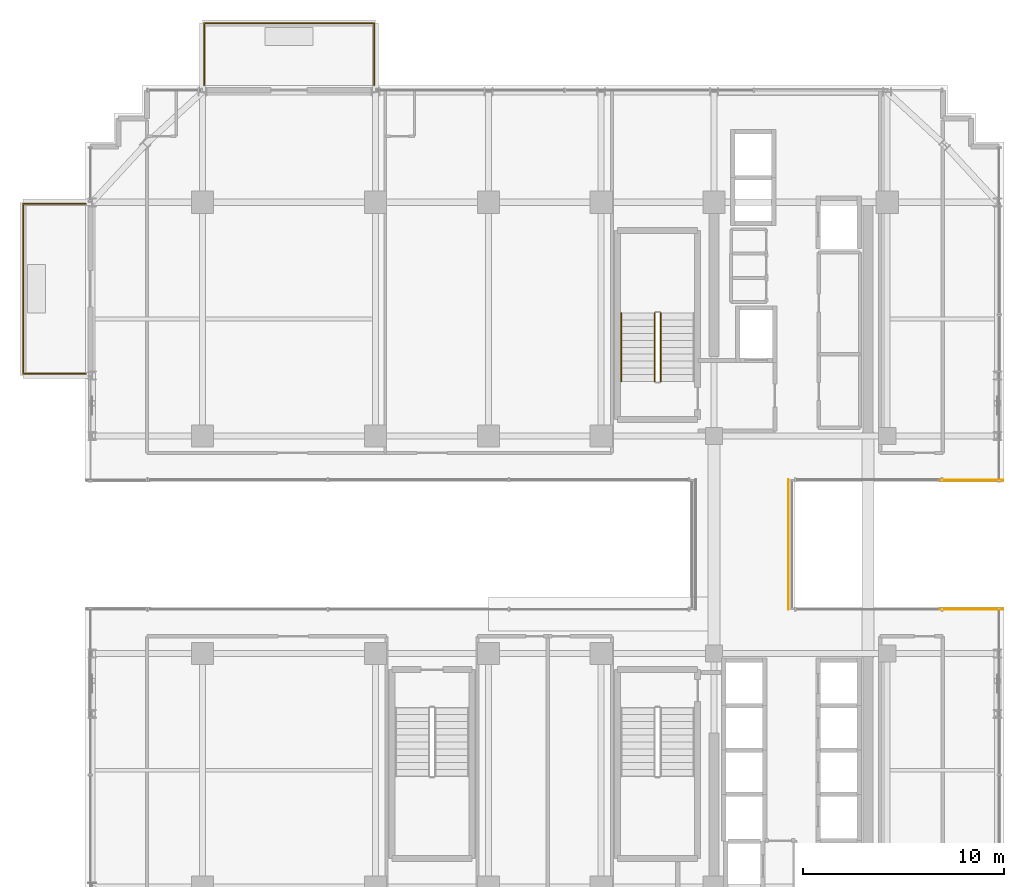
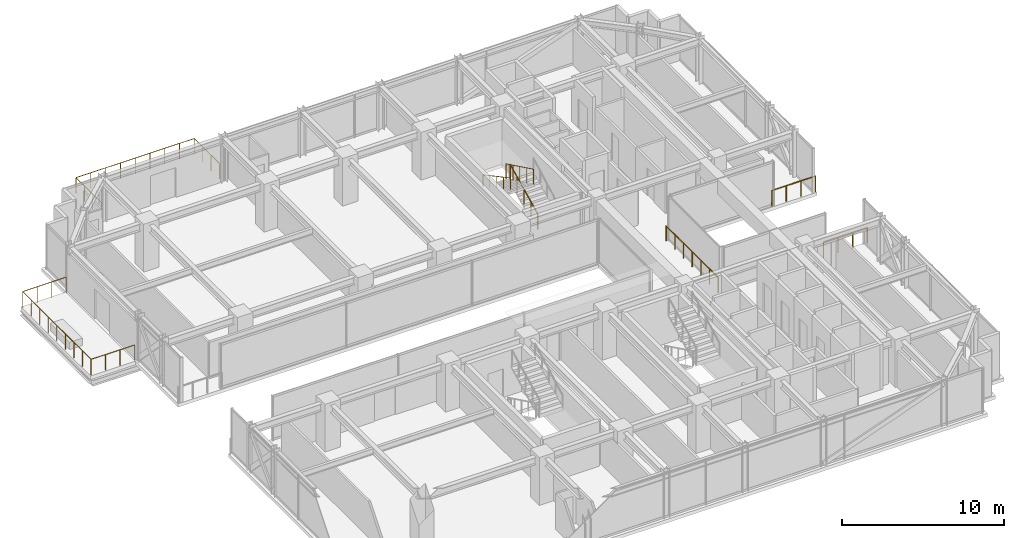
# One storey, part 35 of 37: 8 railings.
"""IFC4 building model written with IfcOpenShell, lengths in metres."""

import ifcopenshell
import ifcopenshell.guid

model = None  # the IFC model being written
_history = None  # IfcOwnerHistory: only IFC2X3 demands one
_inside = {}  # id of a spatial element -> (the spatial element, [elements in it])
_under = {}  # id of a project, library or spatial element -> (it, [spatial elements below it])
_declared = {}  # id of a project -> (the project, [libraries it declares])
_typed = {}  # id of a type object -> (the type object, [elements of that type])
_made_of = {}  # id of a material, layer set ... -> (it, [elements and type objects made of it])


def new_model(schema):
    """Start an empty IFC model of exactly this schema.

    Asked for "IFC4X3", IfcOpenShell would pick the latest addendum, in which some entities
    have other attributes; the version numbers below select the first issue.
    IFC2X3 requires an IfcOwnerHistory on every rooted entity: one is made here for all.
    """
    global model, _history
    if schema == "IFC4X3":
        model = ifcopenshell.file(schema_version=(4, 3, 0, 0))
    else:
        model = ifcopenshell.file(schema=schema)
    _inside.clear()
    _under.clear()
    _declared.clear()
    _typed.clear()
    _made_of.clear()
    _history = None
    if model.schema == "IFC2X3":
        org = make("IfcOrganization", Name="unknown")
        user = make(
            "IfcPersonAndOrganization",
            ThePerson=make("IfcPerson", FamilyName="unknown"),
            TheOrganization=org,
        )
        app = make(
            "IfcApplication",
            ApplicationDeveloper=org,
            Version="unknown",
            ApplicationFullName="unknown",
            ApplicationIdentifier="unknown",
        )
        _history = make(
            "IfcOwnerHistory",
            OwningUser=user,
            OwningApplication=app,
            ChangeAction="ADDED",
            CreationDate=0,
        )
    return model


def make(cls, **values):
    """One entity of the class cls with the attributes given. An attribute that is None is left unset."""
    return model.create_entity(
        cls, **{name: value for name, value in values.items() if value is not None}
    )


def rooted(cls, **values):
    """An entity with a GlobalId (a new one), such as an element, a storey or a relation."""
    return make(cls, GlobalId=ifcopenshell.guid.new(), OwnerHistory=_history, **values)


def si_unit(unit_type, name, prefix=None):
    """IfcSIUnit, for example si_unit("LENGTHUNIT", "METRE", prefix="MILLI")."""
    return make("IfcSIUnit", UnitType=unit_type, Prefix=prefix, Name=name)


def assignment(units):
    """IfcUnitAssignment: the units of a project."""
    return None if units is None else make("IfcUnitAssignment", Units=units)


def point(xyz):
    """IfcCartesianPoint."""
    return None if xyz is None else make("IfcCartesianPoint", Coordinates=xyz)


def direction(xyz):
    """IfcDirection."""
    return None if xyz is None else make("IfcDirection", DirectionRatios=xyz)


def frame(location, z_axis=None, x_axis=None):
    """IfcAxis2Placement3D, a coordinate frame: its origin and axes. An axis left out is left unset."""
    return make(
        "IfcAxis2Placement3D",
        Location=point(location),
        Axis=direction(z_axis),
        RefDirection=direction(x_axis),
    )


def frame_2d(location, x_axis=None):
    """IfcAxis2Placement2D, a coordinate frame in the plane: its origin and x axis."""
    return make(
        "IfcAxis2Placement2D", Location=point(location), RefDirection=direction(x_axis)
    )


def origin():
    """The frame at (0, 0, 0) with its axes left unset."""
    return frame((0.0, 0.0, 0.0))


def origin_2d():
    """The frame at (0, 0) in the plane with its x axis left unset."""
    return frame_2d((0.0, 0.0))


def place(relative_to, where):
    """IfcLocalPlacement: puts the frame where relative to a parent placement (None: the world)."""
    return make(
        "IfcLocalPlacement", PlacementRelTo=relative_to, RelativePlacement=where
    )


def context(
    kind, dimensions, precision=None, world=None, true_north=None, identifier=None
):
    """IfcGeometricRepresentationContext, for example the 3D "Model" context."""
    return make(
        "IfcGeometricRepresentationContext",
        ContextIdentifier=identifier,
        ContextType=kind,
        CoordinateSpaceDimension=dimensions,
        Precision=precision,
        WorldCoordinateSystem=world,
        TrueNorth=true_north,
    )


def subcontext(parent, identifier, kind, view, scale=None):
    """IfcGeometricRepresentationSubContext, for example "Body" below "Model"."""
    return make(
        "IfcGeometricRepresentationSubContext",
        ContextIdentifier=identifier,
        ContextType=kind,
        ParentContext=parent,
        TargetScale=scale,
        TargetView=view,
    )


def project(units=None, contexts=None):
    """IfcProject with its units and contexts."""
    return rooted(
        "IfcProject",
        Name="project",
        RepresentationContexts=contexts,
        UnitsInContext=assignment(units),
    )


def spatial(cls, under=None, at=None, **own):
    """A site, building, storey or space (cls), placed at a placement, below another one or the project."""
    s = rooted(cls, ObjectPlacement=at, **own)
    if under is not None:
        _under.setdefault(under.id(), (under, []))[1].append(s)
    return s


def profile(cls, at=None, kind="AREA", **sizes):
    """A parametric profile (cls). Its sizes go by their IFC names, for example OverallWidth=200.0."""
    return make(cls, ProfileType=kind, Position=at, **sizes)


def circle(**sizes):
    """IfcCircleProfileDef."""
    return profile("IfcCircleProfileDef", **sizes)


def extrude(swept, where, along, depth):
    """IfcExtrudedAreaSolid: the profile swept, set in the frame where, extruded along a direction by depth."""
    return make(
        "IfcExtrudedAreaSolid",
        SweptArea=swept,
        Position=where,
        ExtrudedDirection=direction(along),
        Depth=depth,
    )


def shape(context_of_items, identifier, shape_type, items):
    """IfcShapeRepresentation: the items that make up one representation, for example the "Body"."""
    return make(
        "IfcShapeRepresentation",
        ContextOfItems=context_of_items,
        RepresentationIdentifier=identifier,
        RepresentationType=shape_type,
        Items=items,
    )


def material(Name=None, Category=None):
    """IfcMaterial."""
    return make("IfcMaterial", Name=Name, Category=Category)


def made_of(thing, what):
    """Note that an element or type object is made of a material, layer set ...; save() writes the relation."""
    if what is not None:
        _made_of.setdefault(what.id(), (what, []))[1].append(thing)
    return thing


def type_object(cls, material=None, **own):
    """A type object (cls), such as IfcWallType, which elements share."""
    return made_of(rooted(cls, **own), material)


def element(
    cls,
    number,
    at=None,
    inside=None,
    cuts=None,
    type_object=None,
    material=None,
    context=None,
    identifier="Body",
    shape_type=None,
    held_by="IfcProductDefinitionShape",
    body=None,
    shapes=None,
    **own,
):
    """One element of the class cls, such as IfcWall. Its Tag is "e" and its number.

    at: its placement. inside: the storey or other place that contains it. cuts: it is an
    opening in that element (IfcRelVoidsElement). A single representation is given by context,
    identifier, shape_type and body (its items); several are given by shapes. held_by: the class
    of the entity that holds the representations. save() writes the other relations.
    """
    e = rooted(cls, Tag="e%d" % number, ObjectPlacement=at, **own)
    if body is not None:
        shapes = [shape(context, identifier, shape_type, body)]
    if shapes is not None:
        e.Representation = make(held_by, Representations=shapes)
    if inside is not None:
        _inside.setdefault(inside.id(), (inside, []))[1].append(e)
    if cuts is not None:
        rooted(
            "IfcRelVoidsElement", RelatingBuildingElement=cuts, RelatedOpeningElement=e
        )
    if type_object is not None:
        _typed.setdefault(type_object.id(), (type_object, []))[1].append(e)
    return made_of(e, material)


def aggregate(whole, parts):
    """IfcRelAggregates: a whole, such as a stair, and the parts it consists of."""
    return rooted("IfcRelAggregates", RelatingObject=whole, RelatedObjects=parts)


def save(model, path):
    """Write the relations noted so far, then the file.

    IfcRelAggregates (storeys below a building ...), IfcRelContainedInSpatialStructure (elements
    in a storey), IfcRelDefinesByType, IfcRelAssociatesMaterial and IfcRelDeclares: one each for
    every whole, place, type object, material and project.
    """
    for whole, parts in _under.values():
        aggregate(whole, parts)
    for where, things in _inside.values():
        rooted(
            "IfcRelContainedInSpatialStructure",
            RelatedElements=things,
            RelatingStructure=where,
        )
    for kind, things in _typed.values():
        rooted("IfcRelDefinesByType", RelatedObjects=things, RelatingType=kind)
    for what, things in _made_of.values():
        rooted("IfcRelAssociatesMaterial", RelatedObjects=things, RelatingMaterial=what)
    for by, libraries in _declared.values():
        rooted("IfcRelDeclares", RelatingContext=by, RelatedDefinitions=libraries)
    model.write(path)


model = new_model("IFC4")

# Units and contexts
model_context = context("Model", 3, precision=1e-05, world=origin(), true_north=direction((0.0, 1.0)))
body_context = subcontext(model_context, "Body", "Model", "MODEL_VIEW")
ifc_project = project(units=[si_unit("LENGTHUNIT", "METRE"), si_unit("AREAUNIT", "SQUARE_METRE"), si_unit("VOLUMEUNIT", "CUBIC_METRE"), si_unit("PLANEANGLEUNIT", "RADIAN"), si_unit("MASSUNIT", "GRAM", prefix="KILO")], contexts=[model_context])

# Site, building, storey
site_placement = place(None, origin())
site = spatial("IfcSite", under=ifc_project, at=site_placement, CompositionType="ELEMENT")
building_placement = place(site_placement, origin())
building = spatial("IfcBuilding", under=site, at=building_placement, Name="Nahalor Promenade Grand Hotel", CompositionType="ELEMENT")
storey_placement = place(building_placement, frame((0.0, 0.0, 167.25)))
storey = spatial("IfcBuildingStorey", under=building, at=storey_placement, Name="L42", CompositionType="ELEMENT", Elevation=167.25)

# Railings
ifc_material_1 = material(Name="Anodised Bronze Aluminium EN AW-6063 T6", Category="aluminium")
railing_type_1 = type_object("IfcRailingType", Name="Bronze Balcony Guardrail 1200 mm", PredefinedType="GUARDRAIL", material=ifc_material_1)
for number, where, name in (
    (1, (19.6201171875, -3.199951171875, 0.0), "L42 Oculus Void Edge Guardrail ES"),
    (2, (19.6201171875, 3.199951171875, 0.0), "L42 Oculus Void Edge Guardrail EN"),
):
    element("IfcRailing", number, at=place(storey_placement, frame(where)), inside=storey, type_object=railing_type_1, Name=name, PredefinedType="GUARDRAIL", context=body_context, shape_type="SweptSolid", body=[
        extrude(circle(Radius=0.024048, at=origin_2d()), frame((0.0, 0.0, 1.17578125), z_axis=(1.0, 0.0, 0.0), x_axis=(0.0, 1.0, 0.0)), (0.0, 0.0, 1.0), 3.119873046875),
        extrude(circle(Radius=0.020996, at=origin_2d()), origin(), (0.0, 0.0, 1.0), 1.14990234375),
        extrude(circle(Radius=0.020996, at=origin_2d()), frame((1.0400390625, 0.0, 0.0)), (0.0, 0.0, 1.0), 1.14990234375),
        extrude(circle(Radius=0.020996, at=origin_2d()), frame((2.079833984375, 0.0, 0.0)), (0.0, 0.0, 1.0), 1.14990234375),
        extrude(circle(Radius=0.020996, at=origin_2d()), frame((3.119873046875, 0.0, 0.0)), (0.0, 0.0, 1.0), 1.14990234375),
    ])
railing_1_placement = place(storey_placement, frame((-16.919921875, 22.800048828125, 0.0)))
element("IfcRailing", 3, at=railing_1_placement, inside=storey, type_object=railing_type_1, Name="L42 Balcony Guardrail 1", PredefinedType="GUARDRAIL", context=body_context, shape_type="SweptSolid", body=[
    extrude(circle(Radius=0.024048, at=origin_2d()), frame((0.0, 0.0, 1.17578125), z_axis=(0.0, 1.0, 0.0), x_axis=(-1.0, 0.0, 0.0)), (0.0, 0.0, 1.0), 3.097900390625),
    extrude(circle(Radius=0.024048, at=origin_2d()), frame((0.001953125, 3.099853515625, 1.17578125), z_axis=(1.0, 0.0, 0.0), x_axis=(0.0, 1.0, 0.0)), (0.0, 0.0, 1.0), 8.43603515625),
    extrude(circle(Radius=0.024048, at=origin_2d()), frame((8.43994140625, 3.097900390625, 1.17578125), z_axis=(0.0, -1.0, 0.0), x_axis=(1.0, 0.0, 0.0)), (0.0, 0.0, 1.0), 3.097900390625),
    extrude(circle(Radius=0.020996, at=origin_2d()), origin(), (0.0, 0.0, 1.0), 1.14990234375),
    extrude(circle(Radius=0.020996, at=origin_2d()), frame((0.0, 1.033203125, 0.0)), (0.0, 0.0, 1.0), 1.14990234375),
    extrude(circle(Radius=0.020996, at=origin_2d()), frame((0.0, 2.066650390625, 0.0)), (0.0, 0.0, 1.0), 1.14990234375),
    extrude(circle(Radius=0.020996, at=origin_2d()), frame((0.0, 3.099853515625, 0.0)), (0.0, 0.0, 1.0), 1.14990234375),
    extrude(circle(Radius=0.020996, at=origin_2d()), frame((1.054931640625, 3.099853515625, 0.0)), (0.0, 0.0, 1.0), 1.14990234375),
    extrude(circle(Radius=0.020996, at=origin_2d()), frame((2.10986328125, 3.099853515625, 0.0)), (0.0, 0.0, 1.0), 1.14990234375),
    extrude(circle(Radius=0.020996, at=origin_2d()), frame((3.1650390625, 3.099853515625, 0.0)), (0.0, 0.0, 1.0), 1.14990234375),
    extrude(circle(Radius=0.020996, at=origin_2d()), frame((4.219970703125, 3.099853515625, 0.0)), (0.0, 0.0, 1.0), 1.14990234375),
    extrude(circle(Radius=0.020996, at=origin_2d()), frame((5.27490234375, 3.099853515625, 0.0)), (0.0, 0.0, 1.0), 1.14990234375),
    extrude(circle(Radius=0.020996, at=origin_2d()), frame((6.330078125, 3.099853515625, 0.0)), (0.0, 0.0, 1.0), 1.14990234375),
    extrude(circle(Radius=0.020996, at=origin_2d()), frame((7.385009765625, 3.099853515625, 0.0)), (0.0, 0.0, 1.0), 1.14990234375),
    extrude(circle(Radius=0.020996, at=origin_2d()), frame((8.43994140625, 3.099853515625, 0.0)), (0.0, 0.0, 1.0), 1.14990234375),
    extrude(circle(Radius=0.020996, at=origin_2d()), frame((8.43994140625, 2.066650390625, 0.0)), (0.0, 0.0, 1.0), 1.14990234375),
    extrude(circle(Radius=0.020996, at=origin_2d()), frame((8.43994140625, 1.033203125, 0.0)), (0.0, 0.0, 1.0), 1.14990234375),
    extrude(circle(Radius=0.020996, at=origin_2d()), frame((8.43994140625, 0.0, 0.0)), (0.0, 0.0, 1.0), 1.14990234375),
])
railing_2_placement = place(storey_placement, frame((-22.800048828125, 8.47998046875, 0.0)))
element("IfcRailing", 4, at=railing_2_placement, inside=storey, type_object=railing_type_1, Name="L42 Balcony Guardrail 2", PredefinedType="GUARDRAIL", context=body_context, shape_type="SweptSolid", body=[
    extrude(circle(Radius=0.024048, at=origin_2d()), frame((0.0, 0.0, 1.17578125), z_axis=(-1.0, 0.0, 0.0), x_axis=(0.0, -1.0, 0.0)), (0.0, 0.0, 1.0), 3.10791015625),
    extrude(circle(Radius=0.024048, at=origin_2d()), frame((-3.10986328125, 0.001953125, 1.17578125), z_axis=(0.0, 1.0, 0.0), x_axis=(-1.0, 0.0, 0.0)), (0.0, 0.0, 1.0), 8.43603515625),
    extrude(circle(Radius=0.024048, at=origin_2d()), frame((-3.10791015625, 8.43994140625, 1.17578125), z_axis=(1.0, 0.0, 0.0), x_axis=(0.0, 1.0, 0.0)), (0.0, 0.0, 1.0), 3.10791015625),
    extrude(circle(Radius=0.020996, at=origin_2d()), origin(), (0.0, 0.0, 1.0), 1.14990234375),
    extrude(circle(Radius=0.020996, at=origin_2d()), frame((-1.03662109375, 0.0, 0.0)), (0.0, 0.0, 1.0), 1.14990234375),
    extrude(circle(Radius=0.020996, at=origin_2d()), frame((-2.0732421875, 0.0, 0.0)), (0.0, 0.0, 1.0), 1.14990234375),
    extrude(circle(Radius=0.020996, at=origin_2d()), frame((-3.10986328125, 0.0, 0.0)), (0.0, 0.0, 1.0), 1.14990234375),
    extrude(circle(Radius=0.020996, at=origin_2d()), frame((-3.10986328125, 1.054931640625, 0.0)), (0.0, 0.0, 1.0), 1.14990234375),
    extrude(circle(Radius=0.020996, at=origin_2d()), frame((-3.10986328125, 2.10986328125, 0.0)), (0.0, 0.0, 1.0), 1.14990234375),
    extrude(circle(Radius=0.020996, at=origin_2d()), frame((-3.10986328125, 3.1650390625, 0.0)), (0.0, 0.0, 1.0), 1.14990234375),
    extrude(circle(Radius=0.020996, at=origin_2d()), frame((-3.10986328125, 4.219970703125, 0.0)), (0.0, 0.0, 1.0), 1.14990234375),
    extrude(circle(Radius=0.020996, at=origin_2d()), frame((-3.10986328125, 5.27490234375, 0.0)), (0.0, 0.0, 1.0), 1.14990234375),
    extrude(circle(Radius=0.020996, at=origin_2d()), frame((-3.10986328125, 6.330078125, 0.0)), (0.0, 0.0, 1.0), 1.14990234375),
    extrude(circle(Radius=0.020996, at=origin_2d()), frame((-3.10986328125, 7.385009765625, 0.0)), (0.0, 0.0, 1.0), 1.14990234375),
    extrude(circle(Radius=0.020996, at=origin_2d()), frame((-3.10986328125, 8.43994140625, 0.0)), (0.0, 0.0, 1.0), 1.14990234375),
    extrude(circle(Radius=0.020996, at=origin_2d()), frame((-2.0732421875, 8.43994140625, 0.0)), (0.0, 0.0, 1.0), 1.14990234375),
    extrude(circle(Radius=0.020996, at=origin_2d()), frame((-1.03662109375, 8.43994140625, 0.0)), (0.0, 0.0, 1.0), 1.14990234375),
    extrude(circle(Radius=0.020996, at=origin_2d()), frame((0.0, 8.43994140625, 0.0)), (0.0, 0.0, 1.0), 1.14990234375),
])
railing_type_2 = type_object("IfcRailingType", Name="Bronze Sky Balustrade 1150 mm", PredefinedType="BALUSTRADE", material=ifc_material_1)
railing_3_placement = place(storey_placement, frame((12.10009765625, -3.219970703125, 0.0)))
element("IfcRailing", 5, at=railing_3_placement, inside=storey, type_object=railing_type_2, Name="BL-L42-BRG-E", PredefinedType="BALUSTRADE", context=body_context, shape_type="SweptSolid", body=[
    extrude(circle(Radius=0.024048, at=origin_2d()), frame((0.0, 0.0, 1.1259765625), z_axis=(0.0, 1.0, 0.0), x_axis=(-1.0, 0.0, 0.0)), (0.0, 0.0, 1.0), 6.43994140625),
    extrude(circle(Radius=0.020996, at=origin_2d()), origin(), (0.0, 0.0, 1.0), 1.099853515625),
    extrude(circle(Radius=0.020996, at=origin_2d()), frame((0.0, 1.0732421875, 0.0)), (0.0, 0.0, 1.0), 1.099853515625),
    extrude(circle(Radius=0.020996, at=origin_2d()), frame((0.0, 2.146728515625, 0.0)), (0.0, 0.0, 1.0), 1.099853515625),
    extrude(circle(Radius=0.020996, at=origin_2d()), frame((0.0, 3.219970703125, 0.0)), (0.0, 0.0, 1.0), 1.099853515625),
    extrude(circle(Radius=0.020996, at=origin_2d()), frame((0.0, 4.293212890625, 0.0)), (0.0, 0.0, 1.0), 1.099853515625),
    extrude(circle(Radius=0.020996, at=origin_2d()), frame((0.0, 5.36669921875, 0.0)), (0.0, 0.0, 1.0), 1.099853515625),
    extrude(circle(Radius=0.020996, at=origin_2d()), frame((0.0, 6.43994140625, 0.0)), (0.0, 0.0, 1.0), 1.099853515625),
])
ifc_material_2 = material(Name="Steel S355JR", Category="steel")
railing_type_3 = type_object("IfcRailingType", Name="Steel Stair Guardrail 1150 mm", PredefinedType="GUARDRAIL", material=ifc_material_2)
railing_4_placement = place(storey_placement, frame((5.75, 8.10009765625, 0.166015625)))
element("IfcRailing", 6, at=railing_4_placement, inside=storey, type_object=railing_type_3, Name="L42 ST1 stair guard 1", PredefinedType="GUARDRAIL", context=body_context, shape_type="SweptSolid", body=[
    extrude(circle(Radius=0.024048, at=origin_2d()), frame((0.0, 0.0, 1.1259765625), z_axis=(0.0, 0.898721922897, 0.438518990814), x_axis=(-1.0, 0.0, 0.0)), (0.0, 0.0, 1.0), 3.782958984375),
    extrude(circle(Radius=0.020996, at=origin_2d()), origin(), (0.0, 0.0, 1.0), 1.099853515625),
    extrude(circle(Radius=0.020996, at=origin_2d()), frame((0.0, 0.85009765625, 0.414794921875)), (0.0, 0.0, 1.0), 1.099853515625),
    extrude(circle(Radius=0.020996, at=origin_2d()), frame((0.0, 1.699951171875, 0.82958984375)), (0.0, 0.0, 1.0), 1.099853515625),
    extrude(circle(Radius=0.020996, at=origin_2d()), frame((0.0, 2.5498046875, 1.244140625)), (0.0, 0.0, 1.0), 1.099853515625),
    extrude(circle(Radius=0.020996, at=origin_2d()), frame((0.0, 3.39990234375, 1.658935546875)), (0.0, 0.0, 1.0), 1.099853515625),
])
railing_5_placement = place(storey_placement, frame((5.449951171875, 11.5, 1.990966796875)))
element("IfcRailing", 7, at=railing_5_placement, inside=storey, type_object=railing_type_3, Name="L42 ST1 stair guard 3", PredefinedType="GUARDRAIL", context=body_context, shape_type="SweptSolid", body=[
    extrude(circle(Radius=0.024048, at=origin_2d()), frame((0.0, 0.0, 1.1259765625), z_axis=(0.0, -0.898721922897, 0.438518990814), x_axis=(1.0, 0.0, 0.0)), (0.0, 0.0, 1.0), 3.782958984375),
    extrude(circle(Radius=0.020996, at=origin_2d()), origin(), (0.0, 0.0, 1.0), 1.099853515625),
    extrude(circle(Radius=0.020996, at=origin_2d()), frame((0.0, -0.85009765625, 0.414794921875)), (0.0, 0.0, 1.0), 1.099853515625),
    extrude(circle(Radius=0.020996, at=origin_2d()), frame((0.0, -1.699951171875, 0.82958984375)), (0.0, 0.0, 1.0), 1.099853515625),
    extrude(circle(Radius=0.020996, at=origin_2d()), frame((0.0, -2.5498046875, 1.244140625)), (0.0, 0.0, 1.0), 1.099853515625),
    extrude(circle(Radius=0.020996, at=origin_2d()), frame((0.0, -3.39990234375, 1.658935546875)), (0.0, 0.0, 1.0), 1.099853515625),
])
railing_type_4 = type_object("IfcRailingType", Name="Steel Stair Handrail 900 mm", PredefinedType="HANDRAIL", material=ifc_material_2)
railing_6_placement = place(storey_placement, frame((3.800048828125, 11.5, 1.990966796875)))
element("IfcRailing", 8, at=railing_6_placement, inside=storey, type_object=railing_type_4, Name="L42 ST1 stair handrail 2", PredefinedType="HANDRAIL", context=body_context, shape_type="SweptSolid", body=[
    extrude(circle(Radius=0.024048, at=origin_2d()), frame((0.0, 0.0, 0.8759765625), z_axis=(0.0, -0.881094038095, 0.47294111265), x_axis=(1.0, 0.0, 0.0)), (0.0, 0.0, 1.0), 3.858642578125),
    extrude(circle(Radius=0.020996, at=origin_2d()), origin(), (0.0, 0.0, 1.0), 0.849853515625),
    extrude(circle(Radius=0.020996, at=origin_2d()), frame((0.0, -0.85009765625, 0.456298828125)), (0.0, 0.0, 1.0), 0.849853515625),
    extrude(circle(Radius=0.020996, at=origin_2d()), frame((0.0, -1.699951171875, 0.91259765625)), (0.0, 0.0, 1.0), 0.849853515625),
    extrude(circle(Radius=0.020996, at=origin_2d()), frame((0.0, -2.5498046875, 1.36865234375)), (0.0, 0.0, 1.0), 0.849853515625),
    extrude(circle(Radius=0.020996, at=origin_2d()), frame((0.0, -3.39990234375, 1.824951171875)), (0.0, 0.0, 1.0), 0.849853515625),
])

save(model, "model.ifc")
